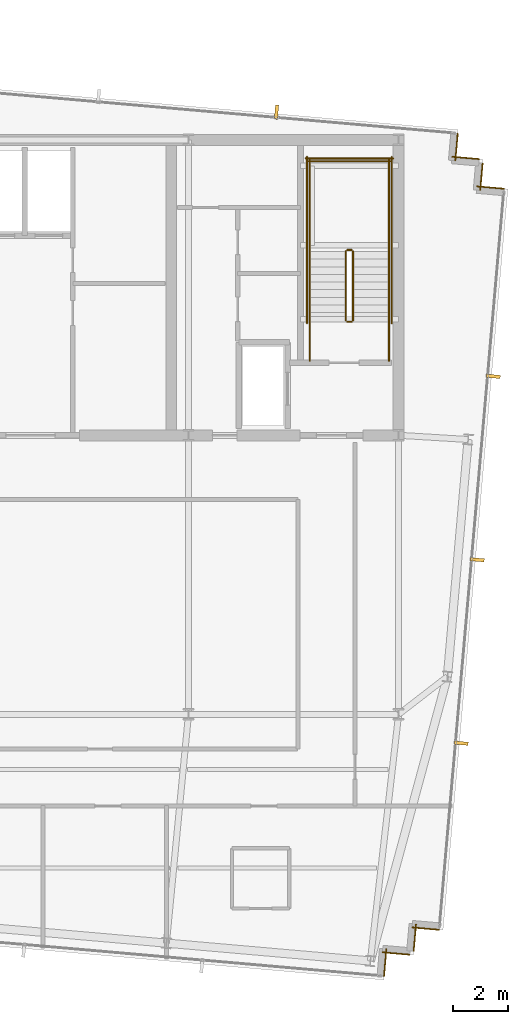
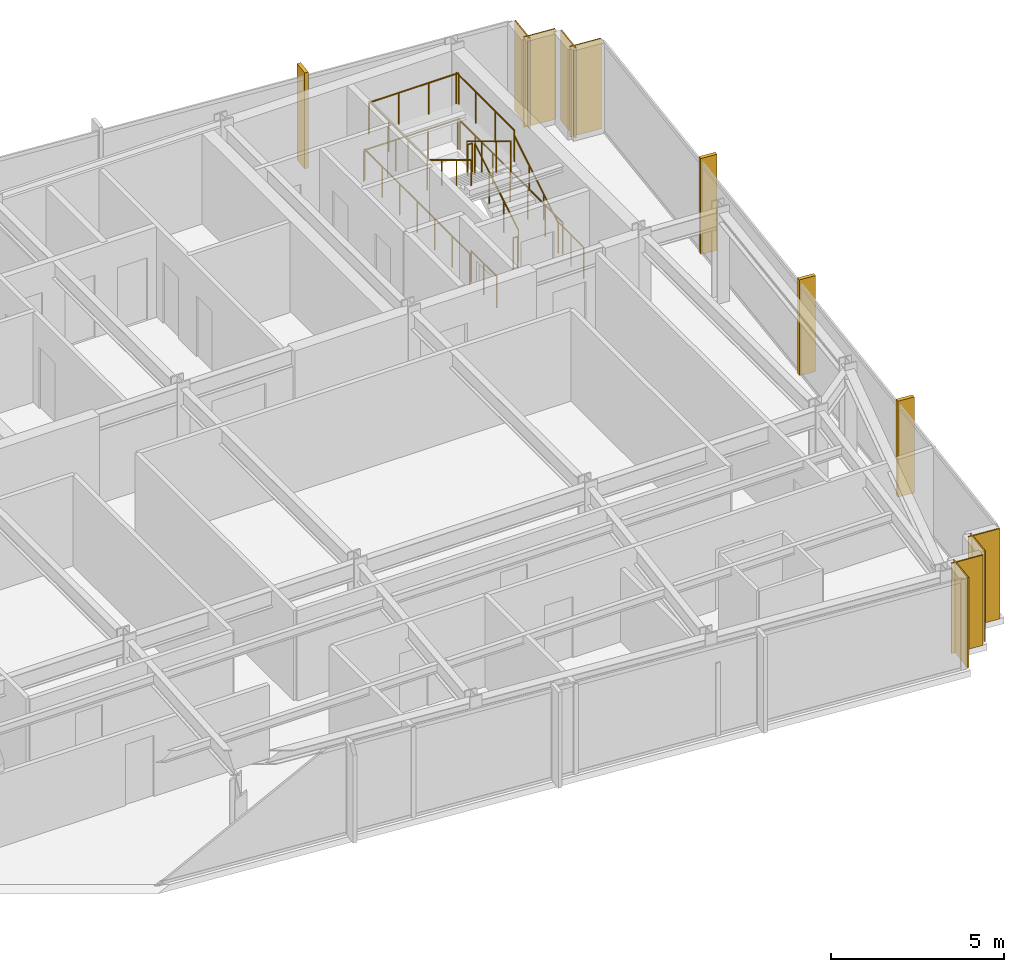
# One storey, part 31 of 32: 14 railings, 8 coverings, 4 shading devices.
"""IFC4 building model written with IfcOpenShell, lengths in metres."""

from ifc_helpers import new_model, si_unit, direction, frame, frame_2d, origin, origin_2d, place, context, subcontext, project, spatial, rectangle, circle, extrude, material, layer, layer_set, type_object, element, save


model = new_model("IFC4")

# Units and contexts
model_context = context("Model", 3, precision=1e-05, world=origin(), true_north=direction((0.0, 1.0)))
body_context = subcontext(model_context, "Body", "Model", "MODEL_VIEW")
ifc_project = project(units=[si_unit("LENGTHUNIT", "METRE"), si_unit("AREAUNIT", "SQUARE_METRE"), si_unit("VOLUMEUNIT", "CUBIC_METRE"), si_unit("PLANEANGLEUNIT", "RADIAN"), si_unit("MASSUNIT", "GRAM", prefix="KILO")], contexts=[model_context])

# Site, building, storey
site_placement = place(None, origin())
site = spatial("IfcSite", under=ifc_project, at=site_placement, CompositionType="ELEMENT")
building_placement = place(site_placement, origin())
building = spatial("IfcBuilding", under=site, at=building_placement, Name="Yelkora Congress Tower", CompositionType="ELEMENT")
storey_placement = place(building_placement, frame((0.0, 0.0, 279.5)))
storey = spatial("IfcBuildingStorey", under=building, at=storey_placement, Name="L78", CompositionType="ELEMENT", Elevation=279.5)

# Coverings
ifc_material_1 = material(Name="Anatolian bush-hammered limestone", Category="masonry")
ifc_layer_1 = layer(ifc_material_1, 0.0400390625)
ifc_layer_set_1 = layer_set([ifc_layer_1], Name="Anatolian bush-hammered limestone")
covering_type = type_object("IfcCoveringType", Name="COV-CLAD-SPANDREL-40", PredefinedType="CLADDING", material=ifc_layer_set_1)
for number, where, z_axis, x_axis, name in (
    (1, (55.92041015625, 46.431396484375, 0.0), (0.0, 0.0, 1.0), (-0.086903493655, -0.996216734848, 0.0), "L78 Anatolian Limestone Cladding EW-L78-SR11"),
    (2, (55.710693359375, 45.581298828125, 0.0), (0.0, 0.0, 1.0), (0.996193717496, -0.087166950281, 0.0), "L78 Anatolian Limestone Cladding EW-L78-SR12"),
    (3, (56.82958984375, 45.347900390625, 0.0), (0.0, 0.0, 1.0), (-0.087166950281, -0.996193717496, 0.0), "L78 Anatolian Limestone Cladding EW-L78-SR13"),
):
    element("IfcCovering", number, at=place(storey_placement, frame(where, z_axis=z_axis, x_axis=x_axis)), inside=storey, type_object=covering_type, Name=name, PredefinedType="CLADDING", context=body_context, shape_type="SweptSolid", body=[
        extrude(rectangle(XDim=1.0, YDim=0.0400390625, at=frame_2d((0.5, 0.0))), origin(), (0.0, 0.0, 1.0), 3.179931640625),
    ])
covering_1_placement = place(storey_placement, frame((56.61962890625, 44.498046875, 0.0), z_axis=(0.0, 0.0, 1.0), x_axis=(0.996195572005, -0.087145753297, 0.0)))
element("IfcCovering", 4, at=covering_1_placement, inside=storey, type_object=covering_type, Name="L78 Anatolian Limestone Cladding EW-L78-SR14", PredefinedType="CLADDING", context=body_context, shape_type="SweptSolid", body=[
    extrude(rectangle(XDim=1.000244140625, YDim=0.0400390625, at=frame_2d((0.5, 0.0))), origin(), (0.0, 0.0, 1.0), 3.179931640625),
])
for number, where, z_axis, x_axis, name in (
    (5, (55.24609375, 17.32421875, 0.0), (0.0, 0.0, 1.0), (-0.99617248636, 0.08740925248, 0.0), "L78 Anatolian Limestone Cladding EW-L78-SR16"),
    (6, (54.396240234375, 17.5341796875, 0.0), (0.0, 0.0, 1.0), (-0.087166950281, -0.996193717496, 0.0), "L78 Anatolian Limestone Cladding EW-L78-SR17"),
):
    element("IfcCovering", number, at=place(storey_placement, frame(where, z_axis=z_axis, x_axis=x_axis)), inside=storey, type_object=covering_type, Name=name, PredefinedType="CLADDING", context=body_context, shape_type="SweptSolid", body=[
        extrude(rectangle(XDim=1.0, YDim=0.0400390625, at=frame_2d((0.5, 0.0))), origin(), (0.0, 0.0, 1.0), 3.179931640625),
    ])
covering_2_placement = place(storey_placement, frame((54.162841796875, 16.415283203125, 0.0), z_axis=(0.0, 0.0, 1.0), x_axis=(-0.996195572005, 0.087145753297, 0.0)))
element("IfcCovering", 7, at=covering_2_placement, inside=storey, type_object=covering_type, Name="L78 Anatolian Limestone Cladding EW-L78-SR18", PredefinedType="CLADDING", context=body_context, shape_type="SweptSolid", body=[
    extrude(rectangle(XDim=1.000244140625, YDim=0.0400390625, at=frame_2d((0.5, 0.0))), origin(), (0.0, 0.0, 1.0), 3.179931640625),
])
covering_3_placement = place(storey_placement, frame((53.312744140625, 16.625, 0.0), z_axis=(0.0, 0.0, 1.0), x_axis=(-0.087166950281, -0.996193717496, 0.0)))
element("IfcCovering", 8, at=covering_3_placement, inside=storey, type_object=covering_type, Name="L78 Anatolian Limestone Cladding EW-L78-SR19", PredefinedType="CLADDING", context=body_context, shape_type="SweptSolid", body=[
    extrude(rectangle(XDim=1.0, YDim=0.0400390625, at=frame_2d((0.5, 0.0))), origin(), (0.0, 0.0, 1.0), 3.179931640625),
])

# Railings
ifc_material_2 = material(Name="Painted galvanised steel stair well guard with vertical infill", Category="steel")
ifc_layer_2 = layer(ifc_material_2, 0.06005859375)
ifc_layer_set_2 = layer_set([ifc_layer_2], Name="Painted galvanised steel stair well guard with vertical infill")
railing_type_1 = type_object("IfcRailingType", Name="RAIL-STAIR-GUARD-1120", PredefinedType="GUARDRAIL", material=ifc_layer_set_2)
railing_1_placement = place(storey_placement, frame((52.090087890625, 39.60009765625, 0.169921875)))
element("IfcRailing", 9, at=railing_1_placement, inside=storey, type_object=railing_type_1, Name="ST-02 L78 Stair Well Guardrail 1", PredefinedType="GUARDRAIL", context=body_context, shape_type="SweptSolid", body=[
    extrude(circle(Radius=0.02392578125, at=origin_2d()), frame((0.0, 0.0, 1.09619140625), z_axis=(0.0, 0.85478489116, 0.518982456201), x_axis=(-1.0, 0.0, 0.0)), (0.0, 0.0, 1.0), 2.9482421875),
    extrude(circle(Radius=0.02099609375, at=origin_2d()), origin(), (0.0, 0.0, 1.0), 1.072021484375),
    extrude(circle(Radius=0.02099609375, at=origin_2d()), frame((0.0, 0.840087890625, 0.510009765625)), (0.0, 0.0, 1.0), 1.072021484375),
    extrude(circle(Radius=0.02099609375, at=origin_2d()), frame((0.0, 1.679931640625, 1.02001953125)), (0.0, 0.0, 1.0), 1.072021484375),
    extrude(circle(Radius=0.02099609375, at=origin_2d()), frame((0.0, 2.52001953125, 1.530029296875)), (0.0, 0.0, 1.0), 1.072021484375),
])
railing_2_placement = place(storey_placement, frame((52.0400390625, 42.169921875, 1.699951171875)))
element("IfcRailing", 10, at=railing_2_placement, inside=storey, type_object=railing_type_1, Name="ST-02 L78 Stair Well Guardrail 2", PredefinedType="GUARDRAIL", context=body_context, shape_type="SweptSolid", body=[
    extrude(circle(Radius=0.02392578125, at=origin_2d()), frame((0.0, 0.0, 1.09619140625), z_axis=(-1.0, 0.0, 0.0), x_axis=(0.0, -1.0, 0.0)), (0.0, 0.0, 1.0), 0.16015625),
    extrude(circle(Radius=0.02099609375, at=origin_2d()), origin(), (0.0, 0.0, 1.0), 1.072021484375),
    extrude(circle(Radius=0.02099609375, at=origin_2d()), frame((-0.16015625, 0.0, 0.0)), (0.0, 0.0, 1.0), 1.072021484375),
])
for number, where, name in (
    (11, (53.409912109375, 42.1201171875, 1.699951171875), "ST-02 L78 Stair Well Guardrail 3"),
    (12, (50.510009765625, 42.1201171875, 1.699951171875), "ST-02 L78 Stair Well Guardrail 4"),
):
    element("IfcRailing", number, at=place(storey_placement, frame(where)), inside=storey, type_object=railing_type_1, Name=name, PredefinedType="GUARDRAIL", context=body_context, shape_type="SweptSolid", body=[
        extrude(circle(Radius=0.02392578125, at=origin_2d()), frame((0.0, 0.0, 1.09619140625), z_axis=(0.0, 1.0, 0.0), x_axis=(-1.0, 0.0, 0.0)), (0.0, 0.0, 1.0), 3.349853515625),
        extrude(circle(Radius=0.02099609375, at=origin_2d()), origin(), (0.0, 0.0, 1.0), 1.072021484375),
        extrude(circle(Radius=0.02099609375, at=origin_2d()), frame((0.0, 1.11669921875, 0.0)), (0.0, 0.0, 1.0), 1.072021484375),
        extrude(circle(Radius=0.02099609375, at=origin_2d()), frame((0.0, 2.233154296875, 0.0)), (0.0, 0.0, 1.0), 1.072021484375),
        extrude(circle(Radius=0.02099609375, at=origin_2d()), frame((0.0, 3.349853515625, 0.0)), (0.0, 0.0, 1.0), 1.072021484375),
    ])
railing_3_placement = place(storey_placement, frame((53.4599609375, 45.419921875, 1.699951171875)))
element("IfcRailing", 13, at=railing_3_placement, inside=storey, type_object=railing_type_1, Name="ST-02 L78 Stair Well Guardrail 5", PredefinedType="GUARDRAIL", context=body_context, shape_type="SweptSolid", body=[
    extrude(circle(Radius=0.02392578125, at=origin_2d()), frame((0.0, 0.0, 1.09619140625), z_axis=(-1.0, 0.0, 0.0), x_axis=(0.0, -1.0, 0.0)), (0.0, 0.0, 1.0), 3.0),
    extrude(circle(Radius=0.02099609375, at=origin_2d()), origin(), (0.0, 0.0, 1.0), 1.072021484375),
    extrude(circle(Radius=0.02099609375, at=origin_2d()), frame((-1.0, 0.0, 0.0)), (0.0, 0.0, 1.0), 1.072021484375),
    extrude(circle(Radius=0.02099609375, at=origin_2d()), frame((-2.0, 0.0, 0.0)), (0.0, 0.0, 1.0), 1.072021484375),
    extrude(circle(Radius=0.02099609375, at=origin_2d()), frame((-3.0, 0.0, 0.0)), (0.0, 0.0, 1.0), 1.072021484375),
])
railing_4_placement = place(storey_placement, frame((51.830078125, 42.1201171875, 1.8701171875)))
element("IfcRailing", 14, at=railing_4_placement, inside=storey, type_object=railing_type_1, Name="ST-02 L78 Stair Well Guardrail 6", PredefinedType="GUARDRAIL", context=body_context, shape_type="SweptSolid", body=[
    extrude(circle(Radius=0.02392578125, at=origin_2d()), frame((0.0, 0.0, 1.09619140625), z_axis=(0.0, -0.854821627497, 0.518921945155), x_axis=(1.0, 0.0, 0.0)), (0.0, 0.0, 1.0), 2.947998046875),
    extrude(circle(Radius=0.02099609375, at=origin_2d()), origin(), (0.0, 0.0, 1.0), 1.072021484375),
    extrude(circle(Radius=0.02099609375, at=origin_2d()), frame((0.0, -0.840087890625, 0.510009765625)), (0.0, 0.0, 1.0), 1.072021484375),
    extrude(circle(Radius=0.02099609375, at=origin_2d()), frame((0.0, -1.679931640625, 1.019775390625)), (0.0, 0.0, 1.0), 1.072021484375),
    extrude(circle(Radius=0.02099609375, at=origin_2d()), frame((0.0, -2.52001953125, 1.52978515625)), (0.0, 0.0, 1.0), 1.072021484375),
])
railing_5_placement = place(storey_placement, frame((52.0400390625, 39.550048828125, 0.0)))
element("IfcRailing", 15, at=railing_5_placement, inside=storey, type_object=railing_type_1, Name="ST-02 L78 Stair Well Guardrail 7", PredefinedType="GUARDRAIL", context=body_context, shape_type="SweptSolid", body=[
    extrude(circle(Radius=0.02392578125, at=origin_2d()), frame((0.0, 0.0, 1.09619140625), z_axis=(-1.0, 0.0, 0.0), x_axis=(0.0, -1.0, 0.0)), (0.0, 0.0, 1.0), 0.16015625),
    extrude(circle(Radius=0.02099609375, at=origin_2d()), origin(), (0.0, 0.0, 1.0), 1.072021484375),
    extrude(circle(Radius=0.02099609375, at=origin_2d()), frame((-0.16015625, 0.0, 0.0)), (0.0, 0.0, 1.0), 1.072021484375),
])
for number, where, name in (
    (16, (53.409912109375, 38.1201171875, 0.0), "ST-02 L78 Stair Well Guardrail 8"),
    (17, (50.510009765625, 38.1201171875, 0.0), "ST-02 L78 Stair Well Guardrail 9"),
):
    element("IfcRailing", number, at=place(storey_placement, frame(where)), inside=storey, type_object=railing_type_1, Name=name, PredefinedType="GUARDRAIL", context=body_context, shape_type="SweptSolid", body=[
        extrude(circle(Radius=0.02392578125, at=origin_2d()), frame((0.0, 0.0, 1.09619140625), z_axis=(0.0, 1.0, 0.0), x_axis=(-1.0, 0.0, 0.0)), (0.0, 0.0, 1.0), 1.47998046875),
        extrude(circle(Radius=0.02099609375, at=origin_2d()), origin(), (0.0, 0.0, 1.0), 1.072021484375),
        extrude(circle(Radius=0.02099609375, at=origin_2d()), frame((0.0, 0.739990234375, 0.0)), (0.0, 0.0, 1.0), 1.072021484375),
        extrude(circle(Radius=0.02099609375, at=origin_2d()), frame((0.0, 1.47998046875, 0.0)), (0.0, 0.0, 1.0), 1.072021484375),
    ])
for number, where, name in (
    (18, (53.510009765625, 39.5, 0.0), "ST-02 L78 Stair Well Guardrail 10"),
    (19, (50.409912109375, 39.5, 0.0), "ST-02 L78 Stair Well Guardrail 11"),
):
    element("IfcRailing", number, at=place(storey_placement, frame(where)), inside=storey, type_object=railing_type_1, Name=name, PredefinedType="GUARDRAIL", context=body_context, shape_type="SweptSolid", body=[
        extrude(circle(Radius=0.02392578125, at=origin_2d()), frame((0.0, 0.0, 1.09619140625), z_axis=(0.0, 1.0, 0.0), x_axis=(-1.0, 0.0, 0.0)), (0.0, 0.0, 1.0), 6.070068359375),
        extrude(circle(Radius=0.02099609375, at=origin_2d()), origin(), (0.0, 0.0, 1.0), 1.072021484375),
        extrude(circle(Radius=0.02099609375, at=origin_2d()), frame((0.0, 1.01171875, 0.0)), (0.0, 0.0, 1.0), 1.072021484375),
        extrude(circle(Radius=0.02099609375, at=origin_2d()), frame((0.0, 2.0234375, 0.0)), (0.0, 0.0, 1.0), 1.072021484375),
        extrude(circle(Radius=0.02099609375, at=origin_2d()), frame((0.0, 3.03515625, 0.0)), (0.0, 0.0, 1.0), 1.072021484375),
        extrude(circle(Radius=0.02099609375, at=origin_2d()), frame((0.0, 4.046630859375, 0.0)), (0.0, 0.0, 1.0), 1.072021484375),
        extrude(circle(Radius=0.02099609375, at=origin_2d()), frame((0.0, 5.058349609375, 0.0)), (0.0, 0.0, 1.0), 1.072021484375),
        extrude(circle(Radius=0.02099609375, at=origin_2d()), frame((0.0, 6.070068359375, 0.0)), (0.0, 0.0, 1.0), 1.072021484375),
    ])
railing_6_placement = place(storey_placement, frame((53.56005859375, 45.52001953125, 0.0)))
element("IfcRailing", 20, at=railing_6_placement, inside=storey, type_object=railing_type_1, Name="ST-02 L78 Stair Well Guardrail 12", PredefinedType="GUARDRAIL", context=body_context, shape_type="SweptSolid", body=[
    extrude(circle(Radius=0.02392578125, at=origin_2d()), frame((0.0, 0.0, 1.09619140625), z_axis=(-1.0, 0.0, 0.0), x_axis=(0.0, -1.0, 0.0)), (0.0, 0.0, 1.0), 3.199951171875),
    extrude(circle(Radius=0.02099609375, at=origin_2d()), origin(), (0.0, 0.0, 1.0), 1.072021484375),
    extrude(circle(Radius=0.02099609375, at=origin_2d()), frame((-1.066650390625, 0.0, 0.0)), (0.0, 0.0, 1.0), 1.072021484375),
    extrude(circle(Radius=0.02099609375, at=origin_2d()), frame((-2.13330078125, 0.0, 0.0)), (0.0, 0.0, 1.0), 1.072021484375),
    extrude(circle(Radius=0.02099609375, at=origin_2d()), frame((-3.199951171875, 0.0, 0.0)), (0.0, 0.0, 1.0), 1.072021484375),
])
ifc_material_3 = material(Name="Brushed stainless steel tubular handrail", Category="steel")
ifc_layer_3 = layer(ifc_material_3, 0.050048828125)
ifc_layer_set_3 = layer_set([ifc_layer_3], Name="Brushed stainless steel tubular handrail")
railing_type_2 = type_object("IfcRailingType", Name="RAIL-STAIR-HAND-920", PredefinedType="HANDRAIL", material=ifc_layer_set_3)
railing_7_placement = place(storey_placement, frame((53.409912109375, 39.60009765625, 0.169921875)))
element("IfcRailing", 21, at=railing_7_placement, inside=storey, type_object=railing_type_2, Name="ST-02 L78 Pitch Handrail 1", PredefinedType="HANDRAIL", context=body_context, shape_type="SweptSolid", body=[
    extrude(circle(Radius=0.02392578125, at=origin_2d()), frame((0.0, 0.0, 0.89599609375), z_axis=(0.0, 0.85478489116, 0.518982456201), x_axis=(-1.0, 0.0, 0.0)), (0.0, 0.0, 1.0), 2.9482421875),
    extrude(circle(Radius=0.02099609375, at=origin_2d()), origin(), (0.0, 0.0, 1.0), 0.871826171875),
    extrude(circle(Radius=0.02099609375, at=origin_2d()), frame((0.0, 0.840087890625, 0.510009765625)), (0.0, 0.0, 1.0), 0.871826171875),
    extrude(circle(Radius=0.02099609375, at=origin_2d()), frame((0.0, 1.679931640625, 1.02001953125)), (0.0, 0.0, 1.0), 0.871826171875),
    extrude(circle(Radius=0.02099609375, at=origin_2d()), frame((0.0, 2.52001953125, 1.530029296875)), (0.0, 0.0, 1.0), 0.871826171875),
])
railing_8_placement = place(storey_placement, frame((50.510009765625, 42.1201171875, 1.8701171875)))
element("IfcRailing", 22, at=railing_8_placement, inside=storey, type_object=railing_type_2, Name="ST-02 L78 Pitch Handrail 2", PredefinedType="HANDRAIL", context=body_context, shape_type="SweptSolid", body=[
    extrude(circle(Radius=0.02392578125, at=origin_2d()), frame((0.0, 0.0, 0.89599609375), z_axis=(0.0, -0.854821627497, 0.518921945155), x_axis=(1.0, 0.0, 0.0)), (0.0, 0.0, 1.0), 2.947998046875),
    extrude(circle(Radius=0.02099609375, at=origin_2d()), origin(), (0.0, 0.0, 1.0), 0.871826171875),
    extrude(circle(Radius=0.02099609375, at=origin_2d()), frame((0.0, -0.840087890625, 0.510009765625)), (0.0, 0.0, 1.0), 0.871826171875),
    extrude(circle(Radius=0.02099609375, at=origin_2d()), frame((0.0, -1.679931640625, 1.019775390625)), (0.0, 0.0, 1.0), 0.871826171875),
    extrude(circle(Radius=0.02099609375, at=origin_2d()), frame((0.0, -2.52001953125, 1.52978515625)), (0.0, 0.0, 1.0), 0.871826171875),
])

# Shading devices
ifc_material_4 = material(Name="Champagne anodised aluminium", Category="aluminium")
ifc_layer_4 = layer(ifc_material_4, 3.300048828125)
ifc_layer_set_4 = layer_set([ifc_layer_4], Name="Champagne anodised aluminium")
shading_device_type = type_object("IfcShadingDeviceType", Name="SHD-FIN-ALU-520", PredefinedType="USERDEFINED", material=ifc_layer_set_4)
for number, where, z_axis, x_axis, name in (
    (23, (49.296875, 47.21142578125, -0.030029296875), (0.0, 0.0, 1.0), (0.996194698092, -0.087155742748, 0.0), "L78 Vertical Anodised Solar Fin 10-6"),
    (24, (57.216796875, 37.554443359375, -0.030029296875), (0.0, 0.0, 1.0), (-0.087155742748, -0.996194698092, 0.0), "L78 Vertical Anodised Solar Fin 15-1"),
    (25, (56.630126953125, 30.85009765625, -0.030029296875), (0.0, 0.0, 1.0), (-0.087155742748, -0.996194698092, 0.0), "L78 Vertical Anodised Solar Fin 15-2"),
    (26, (56.043701171875, 24.145751953125, -0.030029296875), (0.0, 0.0, 1.0), (-0.087155742748, -0.996194698092, 0.0), "L78 Vertical Anodised Solar Fin 15-3"),
):
    element("IfcShadingDevice", number, at=place(storey_placement, frame(where, z_axis=z_axis, x_axis=x_axis)), inside=storey, type_object=shading_device_type, Name=name, ObjectType="FIN", PredefinedType="USERDEFINED", context=body_context, shape_type="SweptSolid", body=[
        extrude(rectangle(XDim=0.1201171875, YDim=0.52001953125, at=origin_2d()), origin(), (0.0, 0.0, 1.0), 3.3798828125),
    ])

save(model, "model.ifc")
